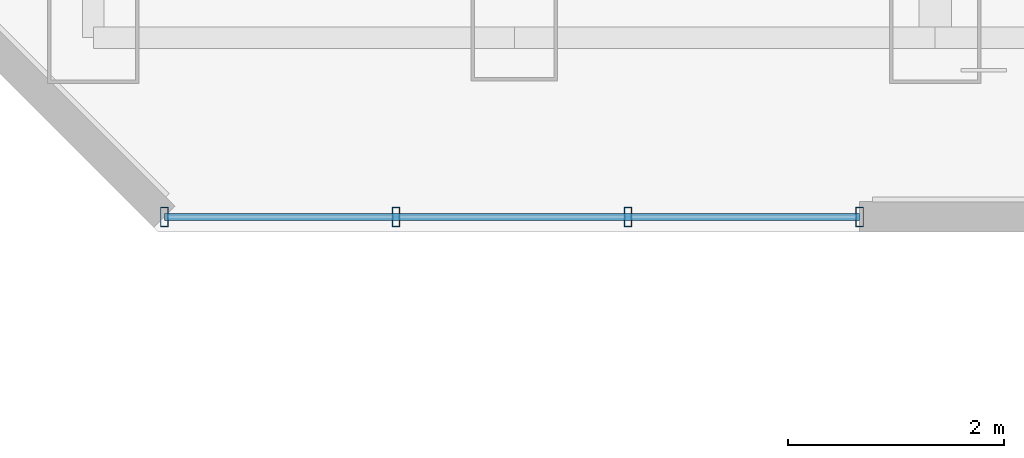
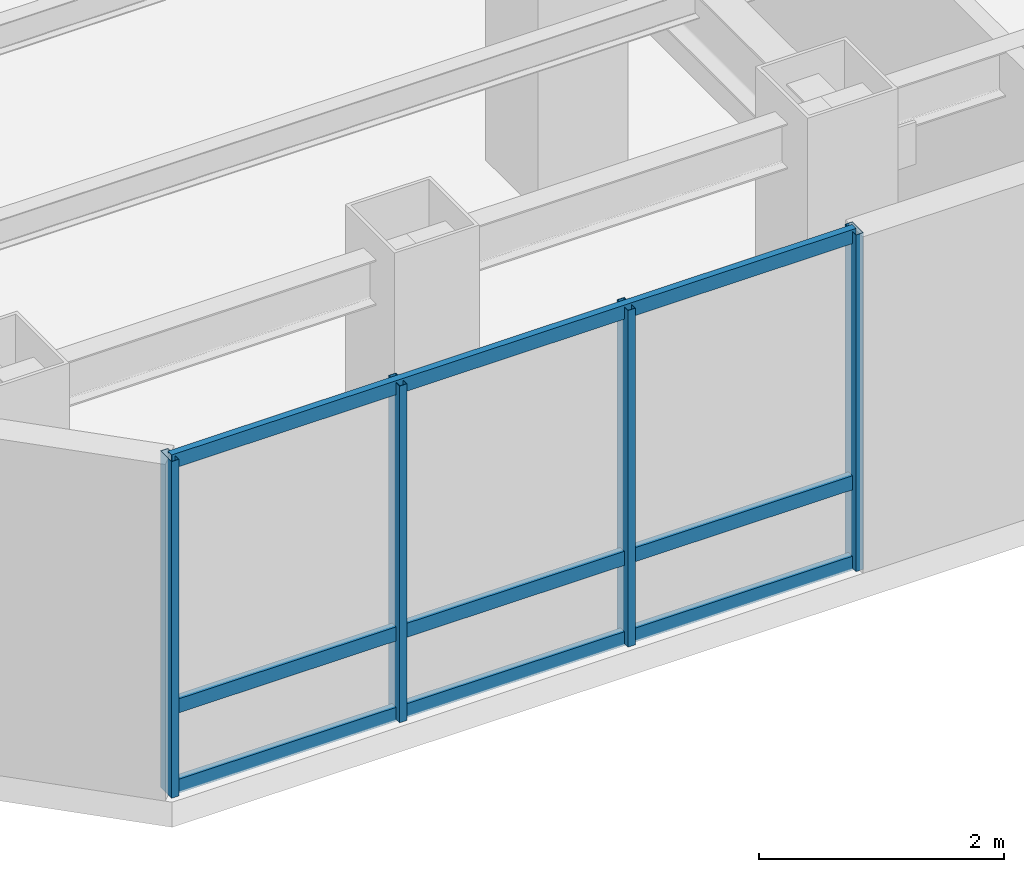
# One storey, part 2 of 26: 7 members, 1 element without a shape of its own.
"""IFC4 building model written with IfcOpenShell, lengths in metres."""

from ifc_helpers import new_model, si_unit, direction, frame, origin, origin_2d, place, context, subcontext, project, spatial, hollow_rectangle, extrude, material, layer, layer_set, material_profile, profile_set, type_object, element, aggregate, save


model = new_model("IFC4")

# Units and contexts
model_context = context("Model", 3, precision=1e-05, world=origin(), true_north=direction((0.0, 1.0)))
body_context = subcontext(model_context, "Body", "Model", "MODEL_VIEW")
ifc_project = project(units=[si_unit("LENGTHUNIT", "METRE"), si_unit("AREAUNIT", "SQUARE_METRE"), si_unit("VOLUMEUNIT", "CUBIC_METRE"), si_unit("PLANEANGLEUNIT", "RADIAN"), si_unit("MASSUNIT", "GRAM", prefix="KILO")], contexts=[model_context])

# Site, building, storey
site_placement = place(None, origin())
site = spatial("IfcSite", under=ifc_project, at=site_placement, CompositionType="ELEMENT")
building_placement = place(site_placement, origin())
building = spatial("IfcBuilding", under=site, at=building_placement, Name="Hatsunagi Terrace Concourse", CompositionType="ELEMENT")
storey_placement = place(building_placement, frame((0.0, 0.0, 152.85009765625)))
storey = spatial("IfcBuildingStorey", under=building, at=storey_placement, Name="L40", CompositionType="ELEMENT", Elevation=152.85009765625)

# Curtain wall, members
ifc_material_1 = material(Name="Anodised Aluminium Alloy 6063-T5", Category="aluminium")
ifc_layer = layer(ifc_material_1, 0.199951171875)
ifc_layer_set = layer_set([ifc_layer], Name="OfficeZone1_CW03")
curtain_wall_type = type_object("IfcCurtainWallType", Name="OfficeZone1_CW03", PredefinedType="NOTDEFINED", material=ifc_layer_set)
curtain_wall_placement = place(storey_placement, origin())
curtain_wall = element("IfcCurtainWall", 1, at=curtain_wall_placement, inside=storey, type_object=curtain_wall_type, Name="Unitised Curtain Wall CW-03 CW-L40-07", PredefinedType="NOTDEFINED")
ifc_material_2 = material(Name="Anodised Aluminium Alloy 6063-T5", Category="aluminium")
ifc_material_profile_1 = material_profile(ifc_material_2, hollow_rectangle(XDim=0.070068359375, YDim=0.179931640625, WallThickness=0.00390625, at=origin_2d()), Name="ALU-MUL-180x70x4")
ifc_profile_set_1 = profile_set([ifc_material_profile_1], Name="Anodised Aluminium Alloy 6063-T5")
member_type_1 = type_object("IfcMemberType", Name="CurtainWallMullion_180x70", PredefinedType="MULLION", material=ifc_profile_set_1)
member_1_placement = place(storey_placement, frame((18.5, 23.5400390625, 0.0), z_axis=(0.0, 0.0, 1.0), x_axis=(-1.0, 0.0, 0.0)))
member_1 = element("IfcMember", 2, at=member_1_placement, type_object=member_type_1, Name="Curtain Wall Mullion MUL-02", PredefinedType="MULLION", context=body_context, shape_type="SweptSolid", body=[
    extrude(hollow_rectangle(XDim=0.070068359375, YDim=0.179931640625, WallThickness=0.00390625, at=origin_2d()), origin(), (0.0, 0.0, 1.0), 3.349853515625),
])
member_2_placement = place(storey_placement, frame((16.35302734375, 23.5400390625, 0.0), z_axis=(0.0, 0.0, 1.0), x_axis=(-1.0, 0.0, 0.0)))
member_2 = element("IfcMember", 3, at=member_2_placement, type_object=member_type_1, Name="Curtain Wall Mullion MUL-02", PredefinedType="MULLION", context=body_context, shape_type="SweptSolid", body=[
    extrude(hollow_rectangle(XDim=0.070068359375, YDim=0.179931640625, WallThickness=0.00390625, at=origin_2d()), origin(), (0.0, 0.0, 1.0), 3.349853515625),
])
member_3_placement = place(storey_placement, frame((14.205078125, 23.5400390625, 0.0), z_axis=(0.0, 0.0, 1.0), x_axis=(-1.0, 0.0, 0.0)))
member_3 = element("IfcMember", 4, at=member_3_placement, type_object=member_type_1, Name="Curtain Wall Mullion MUL-02", PredefinedType="MULLION", context=body_context, shape_type="SweptSolid", body=[
    extrude(hollow_rectangle(XDim=0.070068359375, YDim=0.179931640625, WallThickness=0.00390625, at=origin_2d()), origin(), (0.0, 0.0, 1.0), 3.349853515625),
])
member_4_placement = place(storey_placement, frame((12.05810546875, 23.5400390625, 0.0), z_axis=(0.0, 0.0, 1.0), x_axis=(-1.0, 0.0, 0.0)))
member_4 = element("IfcMember", 5, at=member_4_placement, type_object=member_type_1, Name="Curtain Wall Mullion MUL-02", PredefinedType="MULLION", context=body_context, shape_type="SweptSolid", body=[
    extrude(hollow_rectangle(XDim=0.070068359375, YDim=0.179931640625, WallThickness=0.00390625, at=origin_2d()), origin(), (0.0, 0.0, 1.0), 3.349853515625),
])
ifc_material_3 = material(Name="Anodised Aluminium Alloy 6063-T5", Category="aluminium")
ifc_material_profile_2 = material_profile(ifc_material_3, hollow_rectangle(XDim=0.06494140625, YDim=0.139892578125, WallThickness=0.00390625, at=origin_2d()), Name="ALU-TRN-140x65x4")
ifc_profile_set_2 = profile_set([ifc_material_profile_2], Name="Anodised Aluminium Alloy 6063-T5")
member_type_2 = type_object("IfcMemberType", Name="CurtainWallTransom_140x65", PredefinedType="USERDEFINED", material=ifc_profile_set_2)
member_5_placement = place(storey_placement, frame((18.5, 23.5400390625, 0.0498046875), z_axis=(-1.0, 0.0, 0.0), x_axis=(0.0, -1.0, 0.0)))
member_5 = element("IfcMember", 6, at=member_5_placement, type_object=member_type_2, Name="Curtain Wall Transom TRN-02", ObjectType="TRANSOM", PredefinedType="USERDEFINED", context=body_context, shape_type="SweptSolid", body=[
    extrude(hollow_rectangle(XDim=0.06494140625, YDim=0.139892578125, WallThickness=0.00390625, at=origin_2d()), origin(), (0.0, 0.0, 1.0), 6.44189453125),
])
member_6_placement = place(storey_placement, frame((18.5, 23.5400390625, 0.849853515625), z_axis=(-1.0, 0.0, 0.0), x_axis=(0.0, -1.0, 0.0)))
member_6 = element("IfcMember", 7, at=member_6_placement, type_object=member_type_2, Name="Curtain Wall Transom TRN-02", ObjectType="TRANSOM", PredefinedType="USERDEFINED", context=body_context, shape_type="SweptSolid", body=[
    extrude(hollow_rectangle(XDim=0.06494140625, YDim=0.139892578125, WallThickness=0.00390625, at=origin_2d()), origin(), (0.0, 0.0, 1.0), 6.44189453125),
])
member_7_placement = place(storey_placement, frame((18.5, 23.5400390625, 3.2998046875), z_axis=(-1.0, 0.0, 0.0), x_axis=(0.0, -1.0, 0.0)))
member_7 = element("IfcMember", 8, at=member_7_placement, type_object=member_type_2, Name="Curtain Wall Transom TRN-02", ObjectType="TRANSOM", PredefinedType="USERDEFINED", context=body_context, shape_type="SweptSolid", body=[
    extrude(hollow_rectangle(XDim=0.06494140625, YDim=0.139892578125, WallThickness=0.00390625, at=origin_2d()), origin(), (0.0, 0.0, 1.0), 6.44189453125),
])
aggregate(curtain_wall, [member_1, member_2, member_3, member_4, member_5, member_6, member_7])

save(model, "model.ifc")
